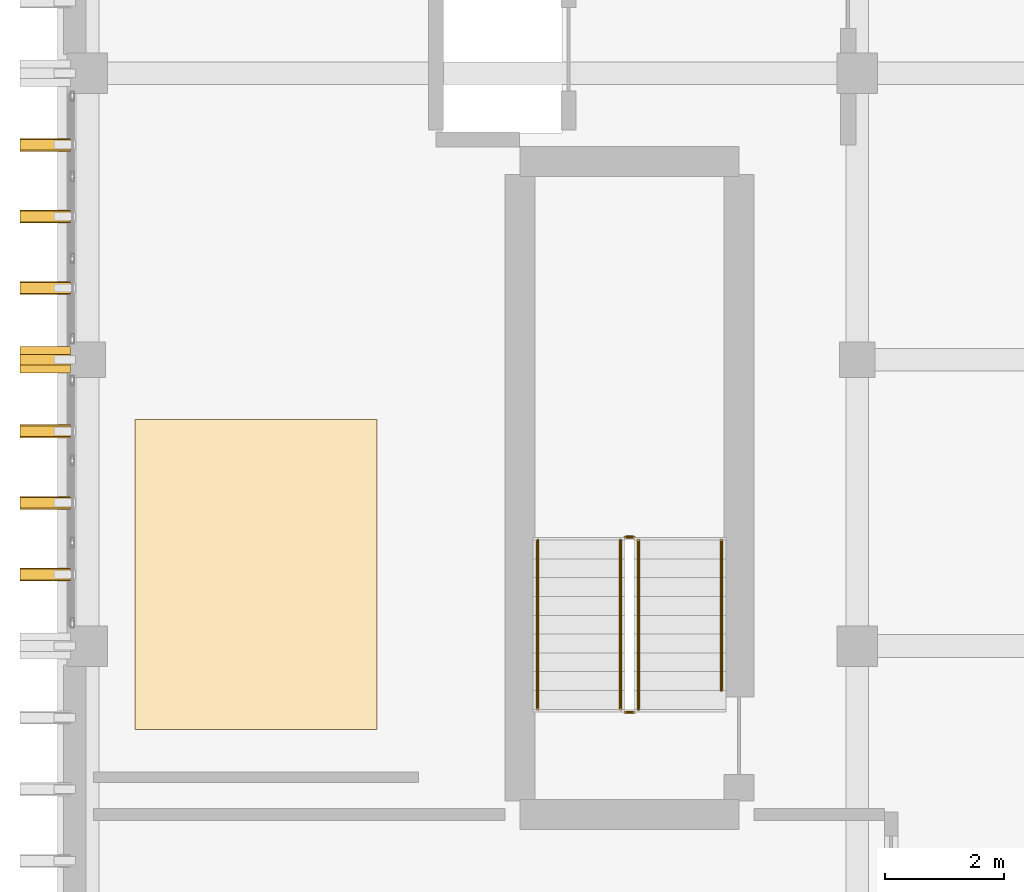
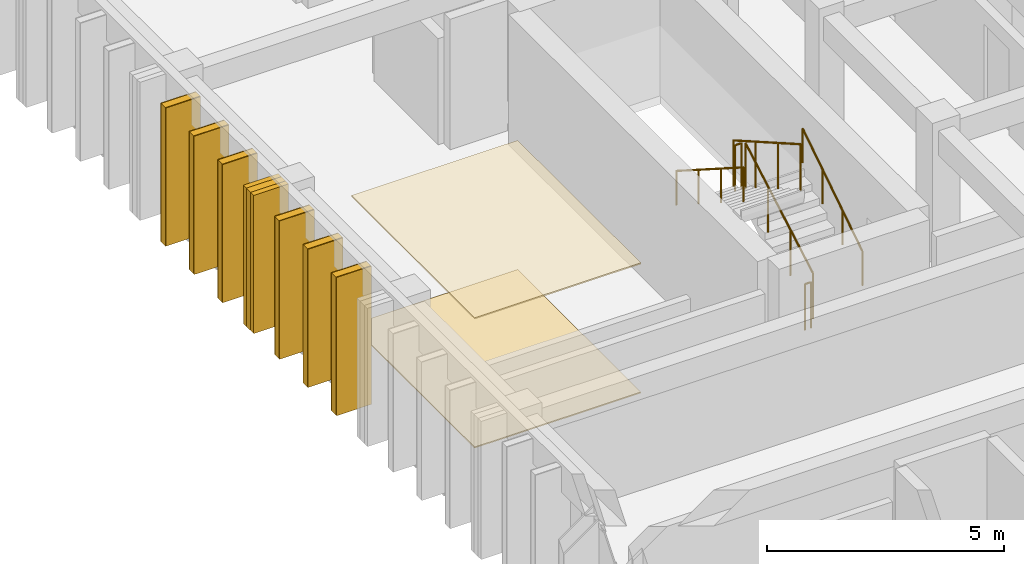
# One storey, part 52 of 53: 9 coverings, 7 shading devices, 6 railings.
"""IFC4 building model written with IfcOpenShell, lengths in metres."""

from ifc_helpers import new_model, si_unit, direction, frame, origin, origin_2d, place, context, subcontext, project, spatial, polyline, rectangle, circle, outline, extrude, material, layer, layer_set, type_object, element, save


model = new_model("IFC4")

# Units and contexts
model_context = context("Model", 3, precision=1e-05, world=origin(), true_north=direction((0.0, 1.0)))
body_context = subcontext(model_context, "Body", "Model", "MODEL_VIEW")
ifc_project = project(units=[si_unit("LENGTHUNIT", "METRE"), si_unit("AREAUNIT", "SQUARE_METRE"), si_unit("VOLUMEUNIT", "CUBIC_METRE"), si_unit("PLANEANGLEUNIT", "RADIAN"), si_unit("MASSUNIT", "GRAM", prefix="KILO")], contexts=[model_context])

# Site, building, storey
site_placement = place(None, origin())
site = spatial("IfcSite", under=ifc_project, at=site_placement, CompositionType="ELEMENT")
building_placement = place(site_placement, origin())
building = spatial("IfcBuilding", under=site, at=building_placement, Name="Nakhvara Creek Congress Hotel", CompositionType="ELEMENT")
storey_placement = place(building_placement, frame((0.0, 0.0, 35.39990234375)))
storey = spatial("IfcBuildingStorey", under=building, at=storey_placement, Name="L08", CompositionType="ELEMENT", Elevation=35.39990234375)

# Coverings
ifc_material_1 = material(Name="Acoustic mineral-fibre and gypsum ceiling board")
ifc_layer_1 = layer(ifc_material_1, 0.0400390625)
ifc_layer_set_1 = layer_set([ifc_layer_1], Name="Acoustic mineral-fibre and gypsum ceiling board")
covering_type_1 = type_object("IfcCoveringType", Name="COV-CEIL-AC", PredefinedType="CEILING", material=ifc_layer_set_1)
covering_1_placement = place(storey_placement, frame((0.0, 0.0, 3.3251953125)))
element("IfcCovering", 1, at=covering_1_placement, inside=storey, type_object=covering_type_1, Name="Acoustic Ceiling L08-WSV-02", PredefinedType="CEILING", context=body_context, shape_type="SweptSolid", body=[
    extrude(outline(polyline([(150.25, 104.199951171875), (154.300048828125, 104.199951171875), (154.300048828125, 109.39990234375), (150.25, 109.39990234375), (150.25, 104.199951171875)])), origin(), (0.0, 0.0, 1.0), 0.034912109375),
])
ifc_material_2 = material(Name="Honed pale Omani limestone architectural cladding", Category="masonry")
ifc_layer_2 = layer(ifc_material_2, 0.219970703125)
ifc_layer_set_2 = layer_set([ifc_layer_2], Name="Honed pale Omani limestone architectural cladding")
covering_type_2 = type_object("IfcCoveringType", Name="COV-FIN-850", PredefinedType="CLADDING", material=ifc_layer_set_2)
for number, where, z_axis, x_axis, name in (
    (2, (148.7451171875, 106.800048828125, 0.0), (0.0, 0.0, 1.0), (0.0, 1.0, 0.0), "Pale Limestone Fin Cladding CF01-2062"),
    (3, (148.7451171875, 108.0, 0.0), (0.0, 0.0, 1.0), (0.0, 1.0, 0.0), "Pale Limestone Fin Cladding CF01-2063"),
    (4, (148.7451171875, 109.199951171875, 0.0), (0.0, 0.0, 1.0), (0.0, 1.0, 0.0), "Pale Limestone Fin Cladding CF01-2065"),
):
    element("IfcCovering", number, at=place(storey_placement, frame(where, z_axis=z_axis, x_axis=x_axis)), inside=storey, type_object=covering_type_2, Name=name, PredefinedType="CLADDING", context=body_context, shape_type="SweptSolid", body=[
        extrude(rectangle(XDim=0.219970703125, YDim=0.85009765625, at=origin_2d()), origin(), (0.0, 0.0, 1.0), 3.56005859375),
    ])
covering_2_placement = place(storey_placement, frame((148.7451171875, 110.39990234375, 0.0), z_axis=(0.0, 0.0, 1.0), x_axis=(0.0, 1.0, 0.0)))
element("IfcCovering", 5, at=covering_2_placement, inside=storey, type_object=covering_type_2, Name="Pale Limestone Fin Cladding CF01-2067", PredefinedType="CLADDING", context=body_context, shape_type="SweptSolid", body=[
    extrude(rectangle(XDim=0.43994140625, YDim=0.85009765625, at=origin_2d()), origin(), (0.0, 0.0, 1.0), 3.56005859375),
])
for number, where, z_axis, x_axis, name in (
    (6, (148.7451171875, 111.60009765625, 0.0), (0.0, 0.0, 1.0), (0.0, 1.0, 0.0), "Pale Limestone Fin Cladding CF01-2069"),
    (7, (148.7451171875, 112.800048828125, 0.0), (0.0, 0.0, 1.0), (0.0, 1.0, 0.0), "Pale Limestone Fin Cladding CF01-2071"),
    (8, (148.7451171875, 114.0, 0.0), (0.0, 0.0, 1.0), (0.0, 1.0, 0.0), "Pale Limestone Fin Cladding CF01-2073"),
):
    element("IfcCovering", number, at=place(storey_placement, frame(where, z_axis=z_axis, x_axis=x_axis)), inside=storey, type_object=covering_type_2, Name=name, PredefinedType="CLADDING", context=body_context, shape_type="SweptSolid", body=[
        extrude(rectangle(XDim=0.219970703125, YDim=0.85009765625, at=origin_2d()), origin(), (0.0, 0.0, 1.0), 3.56005859375),
    ])
ifc_material_3 = material(Name="Honed limestone and terrazzo acoustic floor finish", Category="masonry")
ifc_layer_3 = layer(ifc_material_3, 0.044921875)
ifc_layer_set_3 = layer_set([ifc_layer_3], Name="Honed limestone and terrazzo acoustic floor finish")
covering_type_3 = type_object("IfcCoveringType", Name="COV-FLR-TER", PredefinedType="FLOORING", material=ifc_layer_set_3)
covering_3_placement = place(storey_placement, origin())
element("IfcCovering", 9, at=covering_3_placement, inside=storey, type_object=covering_type_3, Name="Floor Finish L08-WSV-02", PredefinedType="FLOORING", context=body_context, shape_type="SweptSolid", body=[
    extrude(outline(polyline([(150.25, 104.199951171875), (154.300048828125, 104.199951171875), (154.300048828125, 109.39990234375), (150.25, 109.39990234375), (150.25, 104.199951171875)])), origin(), (0.0, 0.0, 1.0), 0.030029296875),
])

# Railings
ifc_material_4 = material(Name="Brushed stainless steel 316L", Category="steel")
railing_type_1 = type_object("IfcRailingType", Name="RL-GUARD-1200", PredefinedType="GUARDRAIL", material=ifc_material_4)
railing_1_placement = place(storey_placement, frame((158.68505859375, 104.5400390625, 0.18017578125)))
element("IfcRailing", 10, at=railing_1_placement, inside=storey, type_object=railing_type_1, Name="L08 ST02 stair guard 1", PredefinedType="GUARDRAIL", context=body_context, shape_type="SweptSolid", body=[
    extrude(circle(Radius=0.02392578125, at=origin_2d()), frame((0.0, 0.0126953125, 1.18310546875), z_axis=(0.0, 0.868256945921, 0.496114780932), x_axis=(-1.0, 0.0, 0.0)), (0.0, 0.0, 1.0), 3.23583984375),
    extrude(circle(Radius=0.02099609375, at=origin_2d()), origin(), (0.0, 0.0, 1.0), 1.1806640625),
    extrude(circle(Radius=0.02099609375, at=origin_2d()), frame((0.0, 0.945068359375, 0.5400390625)), (0.0, 0.0, 1.0), 1.1806640625),
    extrude(circle(Radius=0.02099609375, at=origin_2d()), frame((0.0, 1.889892578125, 1.079833984375)), (0.0, 0.0, 1.0), 1.1806640625),
    extrude(circle(Radius=0.02099609375, at=origin_2d()), frame((0.0, 2.8349609375, 1.619873046875)), (0.0, 0.0, 1.0), 1.1806640625),
])
railing_2_placement = place(storey_placement, frame((158.610107421875, 107.425048828125, 1.800048828125)))
element("IfcRailing", 11, at=railing_2_placement, inside=storey, type_object=railing_type_1, Name="L08 ST02 stair guard 2", PredefinedType="GUARDRAIL", context=body_context, shape_type="SweptSolid", body=[
    extrude(circle(Radius=0.02392578125, at=origin_2d()), frame((-0.0146484375, 0.0, 1.17578125), z_axis=(-1.0, 0.0, 0.0), x_axis=(0.0, -1.0, 0.0)), (0.0, 0.0, 1.0), 0.120849609375),
    extrude(circle(Radius=0.02099609375, at=origin_2d()), origin(), (0.0, 0.0, 1.0), 1.1806640625),
    extrude(circle(Radius=0.02099609375, at=origin_2d()), frame((-0.150146484375, 0.0, 0.0)), (0.0, 0.0, 1.0), 1.1806640625),
])
railing_3_placement = place(storey_placement, frame((158.385009765625, 107.375, 1.97998046875)))
element("IfcRailing", 12, at=railing_3_placement, inside=storey, type_object=railing_type_1, Name="L08 ST02 stair guard 3", PredefinedType="GUARDRAIL", context=body_context, shape_type="SweptSolid", body=[
    extrude(circle(Radius=0.02392578125, at=origin_2d()), frame((0.0, -0.0126953125, 1.18310546875), z_axis=(0.0, -0.868224736699, 0.496171146464), x_axis=(1.0, 0.0, 0.0)), (0.0, 0.0, 1.0), 3.23583984375),
    extrude(circle(Radius=0.02099609375, at=origin_2d()), origin(), (0.0, 0.0, 1.0), 1.1806640625),
    extrude(circle(Radius=0.02099609375, at=origin_2d()), frame((0.0, -0.945068359375, 0.5400390625)), (0.0, 0.0, 1.0), 1.1806640625),
    extrude(circle(Radius=0.02099609375, at=origin_2d()), frame((0.0, -1.889892578125, 1.080078125)), (0.0, 0.0, 1.0), 1.1806640625),
    extrude(circle(Radius=0.02099609375, at=origin_2d()), frame((0.0, -2.8349609375, 1.6201171875)), (0.0, 0.0, 1.0), 1.1806640625),
])
railing_4_placement = place(storey_placement, frame((158.610107421875, 104.489990234375, 0.0)))
element("IfcRailing", 13, at=railing_4_placement, inside=storey, type_object=railing_type_1, Name="L08 ST02 stair guard 4", PredefinedType="GUARDRAIL", context=body_context, shape_type="SweptSolid", body=[
    extrude(circle(Radius=0.02392578125, at=origin_2d()), frame((-0.0146484375, 0.0, 1.17578125), z_axis=(-1.0, 0.0, 0.0), x_axis=(0.0, -1.0, 0.0)), (0.0, 0.0, 1.0), 0.120849609375),
    extrude(circle(Radius=0.02099609375, at=origin_2d()), origin(), (0.0, 0.0, 1.0), 1.1806640625),
    extrude(circle(Radius=0.02099609375, at=origin_2d()), frame((-0.150146484375, 0.0, 0.0)), (0.0, 0.0, 1.0), 1.1806640625),
])
railing_type_2 = type_object("IfcRailingType", Name="RL-HAND-900", PredefinedType="HANDRAIL", material=ifc_material_4)
railing_5_placement = place(storey_placement, frame((160.074951171875, 104.85498046875, 0.360107421875)))
element("IfcRailing", 14, at=railing_5_placement, inside=storey, type_object=railing_type_2, Name="L08 ST02 stair handrail 1", PredefinedType="HANDRAIL", context=body_context, shape_type="SweptSolid", body=[
    extrude(circle(Radius=0.02392578125, at=origin_2d()), frame((0.0, 0.012451171875, 0.8837890625), z_axis=(0.0, 0.8394937775, 0.543369301248), x_axis=(-1.0, 0.0, 0.0)), (0.0, 0.0, 1.0), 2.972412109375),
    extrude(circle(Radius=0.02099609375, at=origin_2d()), origin(), (0.0, 0.0, 1.0), 0.880615234375),
    extrude(circle(Radius=0.02099609375, at=origin_2d()), frame((0.0, 0.840087890625, 0.543701171875)), (0.0, 0.0, 1.0), 0.880615234375),
    extrude(circle(Radius=0.02099609375, at=origin_2d()), frame((0.0, 1.679931640625, 1.08740234375)), (0.0, 0.0, 1.0), 0.880615234375),
    extrude(circle(Radius=0.02099609375, at=origin_2d()), frame((0.0, 2.52001953125, 1.631103515625)), (0.0, 0.0, 1.0), 0.880615234375),
])
railing_6_placement = place(storey_placement, frame((156.9951171875, 107.375, 1.97998046875)))
element("IfcRailing", 15, at=railing_6_placement, inside=storey, type_object=railing_type_2, Name="L08 ST02 stair handrail 2", PredefinedType="HANDRAIL", context=body_context, shape_type="SweptSolid", body=[
    extrude(circle(Radius=0.02392578125, at=origin_2d()), frame((0.0, -0.012451171875, 0.8837890625), z_axis=(0.0, -0.842721868308, 0.538349192138), x_axis=(1.0, 0.0, 0.0)), (0.0, 0.0, 1.0), 3.334716796875),
    extrude(circle(Radius=0.02099609375, at=origin_2d()), origin(), (0.0, 0.0, 1.0), 0.880615234375),
    extrude(circle(Radius=0.02099609375, at=origin_2d()), frame((0.0, -0.945068359375, 0.603759765625)), (0.0, 0.0, 1.0), 0.880615234375),
    extrude(circle(Radius=0.02099609375, at=origin_2d()), frame((0.0, -1.889892578125, 1.207275390625)), (0.0, 0.0, 1.0), 0.880615234375),
    extrude(circle(Radius=0.02099609375, at=origin_2d()), frame((0.0, -2.8349609375, 1.81103515625)), (0.0, 0.0, 1.0), 0.880615234375),
])

# Shading devices
ifc_material_5 = material(Name="Honed pale Omani limestone cladding on stainless steel spine", Category="masonry")
shading_device_type = type_object("IfcShadingDeviceType", Name="SHD-FIN-850X3600", PredefinedType="USERDEFINED", material=ifc_material_5)
for number, where, z_axis, x_axis, name in (
    (16, (148.7451171875, 106.800048828125, 0.0), (0.0, 0.0, 1.0), (0.0, 1.0, 0.0), "Limestone Solar Fin FN01-1927"),
    (17, (148.7451171875, 108.0, 0.0), (0.0, 0.0, 1.0), (0.0, 1.0, 0.0), "Limestone Solar Fin FN01-1928"),
    (18, (148.7451171875, 109.199951171875, 0.0), (0.0, 0.0, 1.0), (0.0, 1.0, 0.0), "Limestone Solar Fin FN01-1930"),
    (19, (148.7451171875, 110.39990234375, 0.0), (0.0, 0.0, 1.0), (0.0, 1.0, 0.0), "Limestone Solar Fin FN01-1932"),
    (20, (148.7451171875, 111.60009765625, 0.0), (0.0, 0.0, 1.0), (0.0, 1.0, 0.0), "Limestone Solar Fin FN01-1934"),
    (21, (148.7451171875, 112.800048828125, 0.0), (0.0, 0.0, 1.0), (0.0, 1.0, 0.0), "Limestone Solar Fin FN01-1936"),
    (22, (148.7451171875, 114.0, 0.0), (0.0, 0.0, 1.0), (0.0, 1.0, 0.0), "Limestone Solar Fin FN01-1938"),
):
    element("IfcShadingDevice", number, at=place(storey_placement, frame(where, z_axis=z_axis, x_axis=x_axis)), inside=storey, type_object=shading_device_type, Name=name, ObjectType="FIN", PredefinedType="USERDEFINED", context=body_context, shape_type="SweptSolid", body=[
        extrude(rectangle(XDim=0.179931640625, YDim=0.85009765625, at=origin_2d()), origin(), (0.0, 0.0, 1.0), 3.56005859375),
    ])

save(model, "model.ifc")
